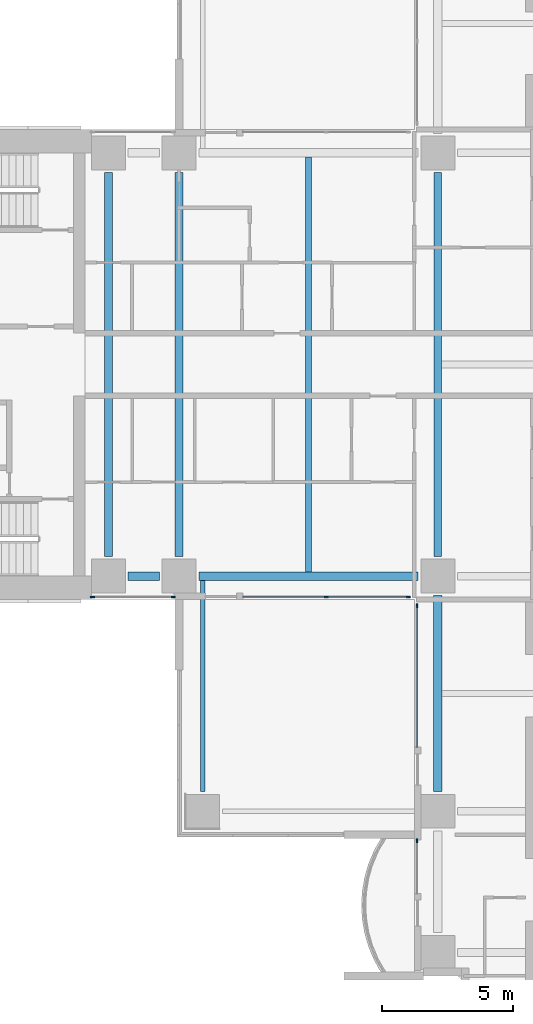
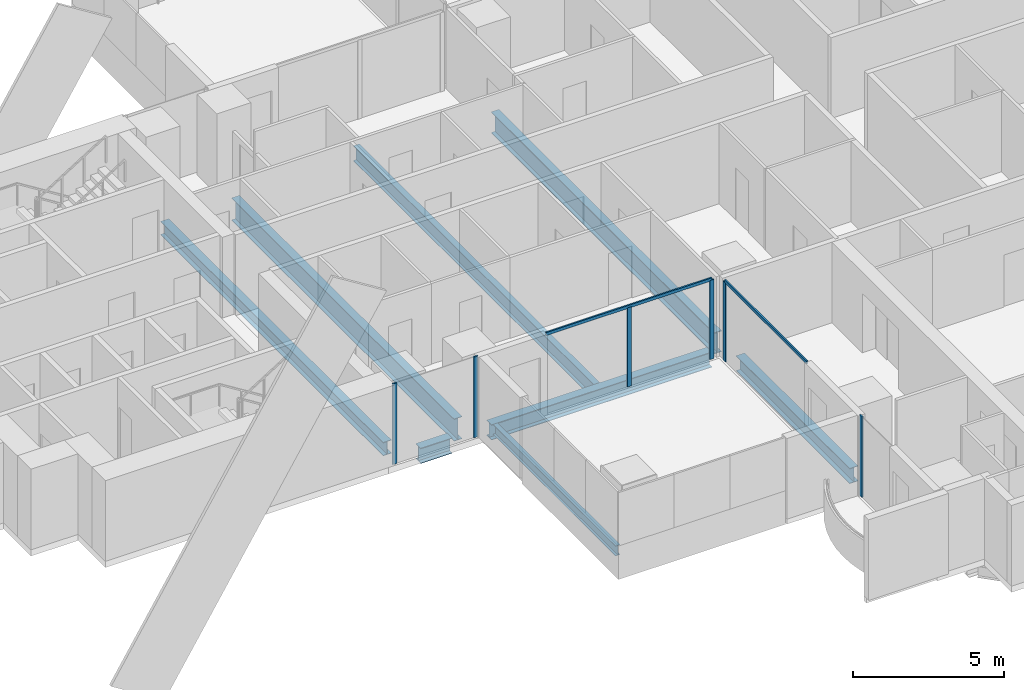
# One storey, part 2 of 23: 8 beams, 8 members, 4 elements without a shape of their own.
"""IFC4 building model written with IfcOpenShell, lengths in metres."""

from ifc_helpers import new_model, si_unit, direction, frame, origin, origin_2d, place, context, subcontext, project, spatial, rectangle, i_section, extrude, material, material_profile, profile_set, type_object, element, aggregate, save


model = new_model("IFC4")

# Units and contexts
model_context = context("Model", 3, precision=1e-05, world=origin(), true_north=direction((0.0, 1.0)))
body_context = subcontext(model_context, "Body", "Model", "MODEL_VIEW")
ifc_project = project(units=[si_unit("LENGTHUNIT", "METRE"), si_unit("AREAUNIT", "SQUARE_METRE"), si_unit("VOLUMEUNIT", "CUBIC_METRE"), si_unit("PLANEANGLEUNIT", "RADIAN"), si_unit("MASSUNIT", "GRAM", prefix="KILO")], contexts=[model_context])

# Site, building, storey
site_placement = place(None, origin())
site = spatial("IfcSite", under=ifc_project, at=site_placement, CompositionType="ELEMENT")
building_placement = place(site_placement, origin())
building = spatial("IfcBuilding", under=site, at=building_placement, Name="Perihelion Cross Residences", CompositionType="ELEMENT")
storey_placement = place(building_placement, frame((0.0, 0.0, 36.5)))
storey = spatial("IfcBuildingStorey", under=building, at=storey_placement, Name="L05", CompositionType="ELEMENT", Elevation=36.5)

# Curtain wall, members
ifc_material_1 = material(Name="Bronze anodised aluminium, tinted glazing", Category="aluminium")
curtain_wall_type = type_object("IfcCurtainWallType", Name="CW1", PredefinedType="NOTDEFINED", material=ifc_material_1)
curtain_wall_1_placement = place(storey_placement, origin())
curtain_wall_1 = element("IfcCurtainWall", 1, at=curtain_wall_1_placement, inside=storey, type_object=curtain_wall_type, Name="Curtain wall CW1 L05 west side south bay 1", PredefinedType="NOTDEFINED")
ifc_material_2 = material(Name="Bronze anodised aluminium", Category="aluminium")
ifc_material_profile_1 = material_profile(ifc_material_2, rectangle(XDim=0.06005859375, YDim=0.159912109375, at=origin_2d()), Name="CW1 mullion")
ifc_profile_set_1 = profile_set([ifc_material_profile_1], Name="Bronze anodised aluminium")
member_type_1 = type_object("IfcMemberType", Name="CW1 mullion", PredefinedType="MULLION", material=ifc_profile_set_1)
member_1_placement = place(storey_placement, frame((-21.320068359375, -8.89990234375, 0.0), z_axis=(0.0, 0.0, 1.0), x_axis=(0.0, 1.0, 0.0)))
member_1 = element("IfcMember", 2, at=member_1_placement, type_object=member_type_1, Name="CW1 mullion 1", PredefinedType="MULLION", context=body_context, shape_type="SweptSolid", body=[
    extrude(rectangle(XDim=0.06005859375, YDim=0.159912109375, at=origin_2d()), origin(), (0.0, 0.0, 1.0), 3.25),
])
member_2_placement = place(storey_placement, frame((-18.22998046875, -8.89990234375, 0.0), z_axis=(0.0, 0.0, 1.0), x_axis=(0.0, 1.0, 0.0)))
member_2 = element("IfcMember", 3, at=member_2_placement, type_object=member_type_1, Name="CW1 mullion 2", PredefinedType="MULLION", context=body_context, shape_type="SweptSolid", body=[
    extrude(rectangle(XDim=0.06005859375, YDim=0.159912109375, at=origin_2d()), origin(), (0.0, 0.0, 1.0), 3.25),
])
aggregate(curtain_wall_1, [member_1, member_2])

curtain_wall_2_placement = place(storey_placement, origin())
curtain_wall_2 = element("IfcCurtainWall", 4, at=curtain_wall_2_placement, inside=storey, type_object=curtain_wall_type, Name="Curtain wall CW1 L05 west side south bay 2", PredefinedType="NOTDEFINED")
member_3_placement = place(storey_placement, frame((-12.375, -8.89990234375, 0.0), z_axis=(0.0, 0.0, 1.0), x_axis=(0.0, 1.0, 0.0)))
member_3 = element("IfcMember", 5, at=member_3_placement, type_object=member_type_1, Name="CW1 mullion 2", PredefinedType="MULLION", context=body_context, shape_type="SweptSolid", body=[
    extrude(rectangle(XDim=0.06005859375, YDim=0.159912109375, at=origin_2d()), origin(), (0.0, 0.0, 1.0), 3.18994140625),
])
member_4_placement = place(storey_placement, frame((-9.22998046875, -8.89990234375, 0.0), z_axis=(0.0, 0.0, 1.0), x_axis=(0.0, 1.0, 0.0)))
member_4 = element("IfcMember", 6, at=member_4_placement, type_object=member_type_1, Name="CW1 mullion 3", PredefinedType="MULLION", context=body_context, shape_type="SweptSolid", body=[
    extrude(rectangle(XDim=0.06005859375, YDim=0.159912109375, at=origin_2d()), origin(), (0.0, 0.0, 1.0), 3.18994140625),
])

# Curtain wall, member
curtain_wall_3_placement = place(storey_placement, origin())
curtain_wall_3 = element("IfcCurtainWall", 7, at=curtain_wall_3_placement, inside=storey, type_object=curtain_wall_type, Name="Curtain wall CW1 L05 south side west bay 1", PredefinedType="NOTDEFINED")
member_5_placement = place(storey_placement, frame((-8.89990234375, -9.22998046875, 0.0), z_axis=(0.0, 0.0, 1.0), x_axis=(1.0, 0.0, 0.0)))
member_5 = element("IfcMember", 8, at=member_5_placement, type_object=member_type_1, Name="CW1 mullion 1", PredefinedType="MULLION", context=body_context, shape_type="SweptSolid", body=[
    extrude(rectangle(XDim=0.06005859375, YDim=0.159912109375, at=origin_2d()), origin(), (0.0, 0.0, 1.0), 3.18994140625),
])

curtain_wall_4_placement = place(storey_placement, origin())
curtain_wall_4 = element("IfcCurtainWall", 9, at=curtain_wall_4_placement, inside=storey, type_object=curtain_wall_type, Name="Curtain wall CW1 L05 south side west bay 2", PredefinedType="NOTDEFINED")
member_6_placement = place(storey_placement, frame((-8.89990234375, -18.22998046875, 0.0), z_axis=(0.0, 0.0, 1.0), x_axis=(1.0, 0.0, 0.0)))
member_6 = element("IfcMember", 10, at=member_6_placement, type_object=member_type_1, Name="CW1 mullion 1", PredefinedType="MULLION", context=body_context, shape_type="SweptSolid", body=[
    extrude(rectangle(XDim=0.06005859375, YDim=0.159912109375, at=origin_2d()), origin(), (0.0, 0.0, 1.0), 3.25),
])
aggregate(curtain_wall_4, [member_6])

# Member
ifc_material_3 = material(Name="Bronze anodised aluminium", Category="aluminium")
ifc_material_profile_2 = material_profile(ifc_material_3, rectangle(XDim=0.06005859375, YDim=0.1201171875, at=origin_2d()), Name="CW1 transom")
ifc_profile_set_2 = profile_set([ifc_material_profile_2], Name="Bronze anodised aluminium")
member_type_2 = type_object("IfcMemberType", Name="CW1 transom", PredefinedType="USERDEFINED", material=ifc_profile_set_2)
member_7_placement = place(storey_placement, frame((-15.550048828125, -8.89990234375, 3.219970703125), z_axis=(1.0, 0.0, 0.0), x_axis=(0.0, 1.0, 0.0)))
member_7 = element("IfcMember", 11, at=member_7_placement, type_object=member_type_2, Name="CW1 head transom", ObjectType="TRANSOM", PredefinedType="USERDEFINED", context=body_context, shape_type="SweptSolid", body=[
    extrude(rectangle(XDim=0.06005859375, YDim=0.1201171875, at=origin_2d()), origin(), (0.0, 0.0, 1.0), 6.320068359375),
])

aggregate(curtain_wall_2, [member_3, member_4, member_7])

member_8_placement = place(storey_placement, frame((-8.89990234375, -9.22998046875, 3.219970703125), z_axis=(0.0, -1.0, 0.0), x_axis=(1.0, 0.0, 0.0)))
member_8 = element("IfcMember", 12, at=member_8_placement, type_object=member_type_2, Name="CW1 head transom", ObjectType="TRANSOM", PredefinedType="USERDEFINED", context=body_context, shape_type="SweptSolid", body=[
    extrude(rectangle(XDim=0.06005859375, YDim=0.1201171875, at=origin_2d()), origin(), (0.0, 0.0, 1.0), 5.419921875),
])

aggregate(curtain_wall_3, [member_5, member_8])

# Beams
ifc_material_4 = material(Name="Steel S355", Category="steel")
ifc_material_profile_3 = material_profile(ifc_material_4, i_section(OverallWidth=0.177978515625, OverallDepth=0.406005859375, WebThickness=0.0078125, FlangeThickness=0.0126953125, at=origin_2d()), Name="W410x60")
ifc_profile_set_3 = profile_set([ifc_material_profile_3], Name="Steel S355")
beam_type_1 = type_object("IfcBeamType", Name="Core edge beam W410x60", PredefinedType="BEAM", material=ifc_profile_set_3)
beam_1_placement = place(storey_placement, frame((-17.10009765625, -8.262451171875, -0.452880859375), z_axis=(0.0, -1.0, 0.0), x_axis=(1.0, 0.0, 0.0)))
element("IfcBeam", 13, at=beam_1_placement, inside=storey, type_object=beam_type_1, Name="Core edge beam TB2 L05 corner no. 1", PredefinedType="BEAM", context=body_context, shape_type="SweptSolid", body=[
    extrude(i_section(OverallWidth=0.177978515625, OverallDepth=0.406005859375, WebThickness=0.0078125, FlangeThickness=0.0126953125, at=origin_2d()), origin(), (0.0, 0.0, 1.0), 8.087646484375),
])
ifc_material_5 = material(Name="Steel S355", Category="steel")
ifc_material_profile_4 = material_profile(ifc_material_5, i_section(OverallWidth=0.31201171875, OverallDepth=0.5439453125, WebThickness=0.0126953125, FlangeThickness=0.020263671875, at=origin_2d()), Name="W530x150")
ifc_profile_set_4 = profile_set([ifc_material_profile_4], Name="Steel S355")
beam_type_2 = type_object("IfcBeamType", Name="Core edge beam W530x150", PredefinedType="BEAM", material=ifc_profile_set_4)
beam_2_placement = place(storey_placement, frame((-20.699951171875, -7.35009765625, -0.52197265625), z_axis=(0.0, 1.0, 0.0), x_axis=(-1.0, 0.0, 0.0)))
element("IfcBeam", 14, at=beam_2_placement, inside=storey, type_object=beam_type_2, Name="Core edge beam TB4 L05 no. 1", PredefinedType="BEAM", context=body_context, shape_type="SweptSolid", body=[
    extrude(i_section(OverallWidth=0.31201171875, OverallDepth=0.5439453125, WebThickness=0.0126953125, FlangeThickness=0.020263671875, at=origin_2d()), origin(), (0.0, 0.0, 1.0), 14.7001953125),
])
ifc_material_6 = material(Name="Steel S355", Category="steel")
ifc_material_profile_5 = material_profile(ifc_material_6, i_section(OverallWidth=0.324951171875, OverallDepth=0.616943359375, WebThickness=0.013916015625, FlangeThickness=0.021484375, at=origin_2d()), Name="W610x174")
ifc_profile_set_5 = profile_set([ifc_material_profile_5], Name="Steel S355")
beam_type_3 = type_object("IfcBeamType", Name="Edge beam W610x174", PredefinedType="SPANDREL", material=ifc_profile_set_5)
beam_3_placement = place(storey_placement, frame((-19.949951171875, -8.10009765625, -0.55859375), z_axis=(1.0, 0.0, 0.0), x_axis=(0.0, 1.0, 0.0)))
element("IfcBeam", 15, at=beam_3_placement, inside=storey, type_object=beam_type_3, Name="Edge beam SB2 L05 no. 3", PredefinedType="SPANDREL", context=body_context, shape_type="SweptSolid", body=[
    extrude(i_section(OverallWidth=0.324951171875, OverallDepth=0.616943359375, WebThickness=0.013916015625, FlangeThickness=0.021484375, at=origin_2d()), origin(), (0.0, 0.0, 1.0), 1.199951171875),
])
beam_4_placement = place(storey_placement, frame((-17.25, -8.10009765625, -0.55859375), z_axis=(1.0, 0.0, 0.0), x_axis=(0.0, 1.0, 0.0)))
element("IfcBeam", 16, at=beam_4_placement, inside=storey, type_object=beam_type_3, Name="Edge beam SB2 L05 no. 1", PredefinedType="SPANDREL", context=body_context, shape_type="SweptSolid", body=[
    extrude(i_section(OverallWidth=0.324951171875, OverallDepth=0.616943359375, WebThickness=0.013916015625, FlangeThickness=0.021484375, at=origin_2d()), origin(), (0.0, 0.0, 1.0), 8.39990234375),
])
beam_5_placement = place(storey_placement, frame((-8.10009765625, -8.85009765625, -0.55859375), z_axis=(0.0, -1.0, 0.0), x_axis=(1.0, 0.0, 0.0)))
element("IfcBeam", 17, at=beam_5_placement, inside=storey, type_object=beam_type_3, Name="Edge beam SB2 L05 no. 6", PredefinedType="SPANDREL", context=body_context, shape_type="SweptSolid", body=[
    extrude(i_section(OverallWidth=0.324951171875, OverallDepth=0.616943359375, WebThickness=0.013916015625, FlangeThickness=0.021484375, at=origin_2d()), origin(), (0.0, 0.0, 1.0), 7.5),
])
ifc_material_7 = material(Name="Steel S355", Category="steel")
ifc_material_profile_6 = material_profile(ifc_material_7, i_section(OverallWidth=0.304931640625, OverallDepth=0.904052734375, WebThickness=0.01513671875, FlangeThickness=0.02001953125, at=origin_2d()), Name="W920x201")
ifc_profile_set_6 = profile_set([ifc_material_profile_6], Name="Steel S355")
beam_type_4 = type_object("IfcBeamType", Name="Floor girder W920x201", PredefinedType="BEAM", material=ifc_profile_set_6)
beam_6_placement = place(storey_placement, frame((-18.0, -7.35009765625, -0.701904296875), z_axis=(0.0, 1.0, 0.0), x_axis=(-1.0, 0.0, 0.0)))
element("IfcBeam", 18, at=beam_6_placement, inside=storey, type_object=beam_type_4, Name="Girder G2 L05 no. 1", PredefinedType="BEAM", context=body_context, shape_type="SweptSolid", body=[
    extrude(i_section(OverallWidth=0.304931640625, OverallDepth=0.904052734375, WebThickness=0.01513671875, FlangeThickness=0.02001953125, at=origin_2d()), origin(), (0.0, 0.0, 1.0), 14.7001953125),
])
ifc_material_8 = material(Name="Steel S355", Category="steel")
ifc_material_profile_7 = material_profile(ifc_material_8, i_section(OverallWidth=0.22900390625, OverallDepth=0.612060546875, WebThickness=0.011962890625, FlangeThickness=0.01953125, at=origin_2d()), Name="W610x125")
ifc_profile_set_7 = profile_set([ifc_material_profile_7], Name="Steel S355")
beam_type_5 = type_object("IfcBeamType", Name="Floor joist W610x125", PredefinedType="JOIST", material=ifc_profile_set_7)
beam_7_placement = place(storey_placement, frame((-13.050048828125, -7.9375, -0.555908203125), z_axis=(0.0, 1.0, 0.0), x_axis=(-1.0, 0.0, 0.0)))
element("IfcBeam", 19, at=beam_7_placement, inside=storey, type_object=beam_type_5, Name="Joist J3 L05 no. 1", PredefinedType="JOIST", context=body_context, shape_type="SweptSolid", body=[
    extrude(i_section(OverallWidth=0.22900390625, OverallDepth=0.612060546875, WebThickness=0.011962890625, FlangeThickness=0.01953125, at=origin_2d()), origin(), (0.0, 0.0, 1.0), 15.875),
])
ifc_material_9 = material(Name="Steel S355", Category="steel")
ifc_material_profile_8 = material_profile(ifc_material_9, i_section(OverallWidth=0.2919921875, OverallDepth=0.85888671875, WebThickness=0.01708984375, FlangeThickness=0.031005859375, at=origin_2d()), Name="W840x251")
ifc_profile_set_8 = profile_set([ifc_material_profile_8], Name="Steel S355")
beam_type_6 = type_object("IfcBeamType", Name="Hub ring girder W840x251", PredefinedType="BEAM", material=ifc_profile_set_8)
beam_8_placement = place(storey_placement, frame((-8.10009765625, 7.35009765625, -0.679443359375), z_axis=(0.0, -1.0, 0.0), x_axis=(1.0, 0.0, 0.0)))
element("IfcBeam", 20, at=beam_8_placement, inside=storey, type_object=beam_type_6, Name="Hub ring girder RG2 L05 no. 2", PredefinedType="BEAM", context=body_context, shape_type="SweptSolid", body=[
    extrude(i_section(OverallWidth=0.2919921875, OverallDepth=0.85888671875, WebThickness=0.01708984375, FlangeThickness=0.031005859375, at=origin_2d()), origin(), (0.0, 0.0, 1.0), 14.7001953125),
])

save(model, "model.ifc")
